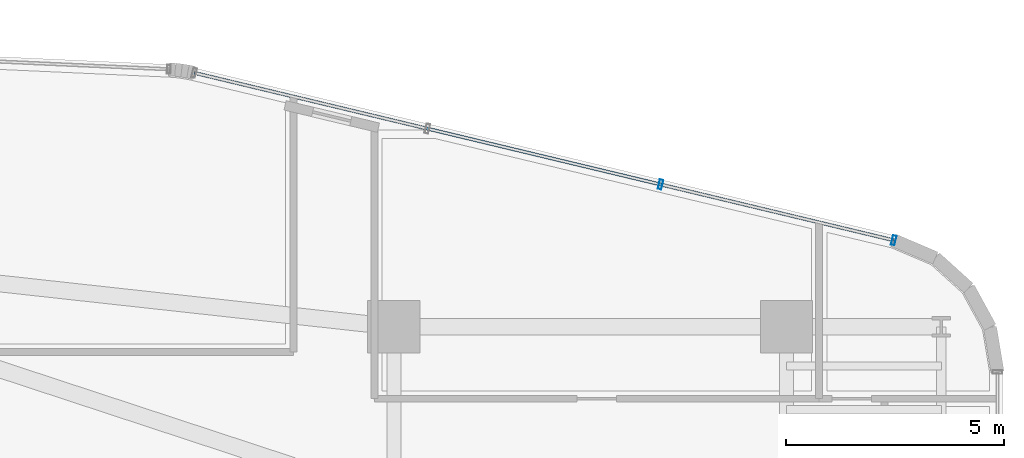
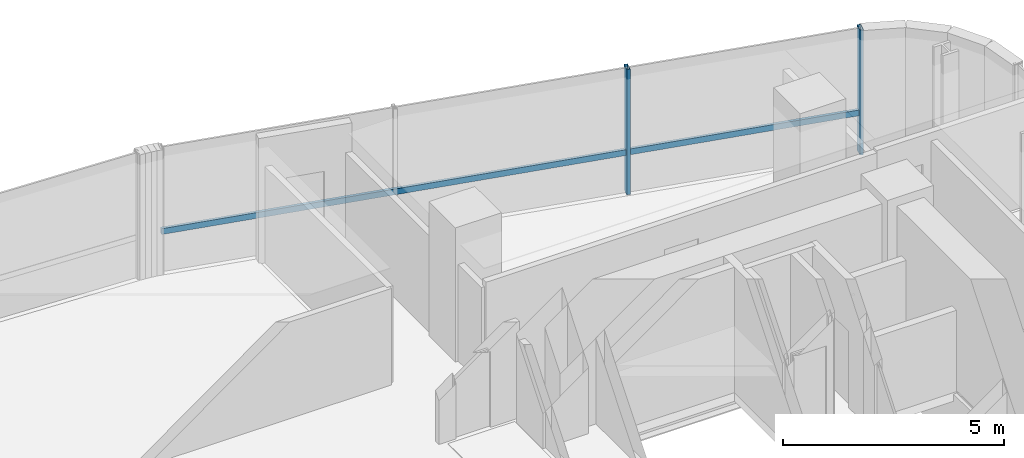
# One storey, part 24 of 34: 3 members, 1 element without a shape of its own.
"""IFC4 building model written with IfcOpenShell, lengths in metres."""

from ifc_helpers import new_model, si_unit, direction, frame, origin, origin_2d, place, context, subcontext, project, spatial, hollow_rectangle, extrude, source, transform, mapped, material, material_profile, profile_set, type_object, element, aggregate, save


model = new_model("IFC4")

# Units and contexts
model_context = context("Model", 3, precision=1e-05, world=origin(), true_north=direction((0.0, 1.0)))
body_context = subcontext(model_context, "Body", "Model", "MODEL_VIEW")
ifc_project = project(units=[si_unit("LENGTHUNIT", "METRE"), si_unit("AREAUNIT", "SQUARE_METRE"), si_unit("VOLUMEUNIT", "CUBIC_METRE"), si_unit("PLANEANGLEUNIT", "RADIAN"), si_unit("MASSUNIT", "GRAM", prefix="KILO")], contexts=[model_context])

# Site, building, storey
site_placement = place(None, origin())
site = spatial("IfcSite", under=ifc_project, at=site_placement, CompositionType="ELEMENT")
building_placement = place(site_placement, origin())
building = spatial("IfcBuilding", under=site, at=building_placement, Name="Valdorenza Pilgrim Sanctuary Tower", CompositionType="ELEMENT")
storey_placement = place(building_placement, frame((0.0, 0.0, 120.5)))
storey = spatial("IfcBuildingStorey", under=building, at=storey_placement, Name="L30", CompositionType="ELEMENT", Elevation=120.5)

# Curtain wall, members
ifc_material_1 = material(Name="Curtain-wall IGU glazing", Category="glass")
curtain_wall_type = type_object("IfcCurtainWallType", Name="CW-SYS-03", PredefinedType="NOTDEFINED", material=ifc_material_1)
curtain_wall_placement = place(storey_placement, origin())
curtain_wall = element("IfcCurtainWall", 1, at=curtain_wall_placement, inside=storey, type_object=curtain_wall_type, Name="L30 Curtain Wall CW-L30-1-16", PredefinedType="NOTDEFINED")
ifc_material_2 = material(Name="Anodised aluminium AW-6060", Category="aluminium")
ifc_material_profile_1 = material_profile(ifc_material_2, hollow_rectangle(XDim=0.0849609375, YDim=0.219970703125, WallThickness=0.0048828125, at=origin_2d()), Name="ALU-M 220x85x5")
ifc_profile_set_1 = profile_set([ifc_material_profile_1], Name="Anodised aluminium AW-6060")
member_type_1 = type_object("IfcMemberType", Name="CW-MUL-03", PredefinedType="MULLION", material=ifc_profile_set_1)
shared_shape_1 = source(origin(), body_context, "Body", "SweptSolid", [
    extrude(hollow_rectangle(XDim=0.0849609375, YDim=0.219970703125, WallThickness=0.0048828125, at=origin_2d()), origin(), (0.0, 0.0, 1.0), 3.4599609375),
])
member_1_placement = place(storey_placement, frame((21.964111328125, 16.7626953125, 0.0), z_axis=(0.0, 0.0, 1.0), x_axis=(0.972528596343, -0.232783438617, 0.0)))
member_1 = element("IfcMember", 2, at=member_1_placement, type_object=member_type_1, Name="CW-L30-1-16 Mullion 3", PredefinedType="MULLION", context=body_context, shape_type="MappedRepresentation", body=[
    mapped(shared_shape_1, transform((0.0, 0.0, 0.0), x_axis=(1.0, 0.0, 0.0), y_axis=(0.0, 1.0, 0.0), z_axis=(0.0, 0.0, 1.0), scale=1.0)),
])
member_2_placement = place(storey_placement, frame((27.310302734375, 15.48291015625, 0.0), z_axis=(0.0, 0.0, 1.0), x_axis=(0.972528596343, -0.232783438617, 0.0)))
member_2 = element("IfcMember", 3, at=member_2_placement, type_object=member_type_1, Name="CW-L30-1-16 Mullion 4", PredefinedType="MULLION", context=body_context, shape_type="MappedRepresentation", body=[
    mapped(shared_shape_1, transform((0.0, 0.0, 0.0), x_axis=(1.0, 0.0, 0.0), y_axis=(0.0, 1.0, 0.0), z_axis=(0.0, 0.0, 1.0), scale=1.0)),
])
ifc_material_profile_2 = material_profile(ifc_material_2, hollow_rectangle(XDim=0.074951171875, YDim=0.159912109375, WallThickness=0.00390625, at=origin_2d()), Name="ALU-T 160x75x4")
ifc_profile_set_2 = profile_set([ifc_material_profile_2], Name="Anodised aluminium AW-6060")
member_type_2 = type_object("IfcMemberType", Name="CW-TRN-03", PredefinedType="USERDEFINED", material=ifc_profile_set_2)
shared_shape_2 = source(origin(), body_context, "Body", "SweptSolid", [
    extrude(hollow_rectangle(XDim=0.074951171875, YDim=0.159912109375, WallThickness=0.00390625, at=origin_2d()), origin(), (0.0, 0.0, 1.0), 16.491943359375),
])
member_3_placement = place(storey_placement, frame((11.271484375, 19.322021484375, 1.1201171875), z_axis=(0.972527548122, -0.232787817859, 0.0), x_axis=(0.232787817859, 0.972527548122, 0.0)))
member_3 = element("IfcMember", 4, at=member_3_placement, type_object=member_type_2, Name="CW-L30-1-16 Transom 1", ObjectType="TRANSOM", PredefinedType="USERDEFINED", context=body_context, shape_type="MappedRepresentation", body=[
    mapped(shared_shape_2, transform((0.0, 0.0, 0.0), x_axis=(1.0, 0.0, 0.0), y_axis=(0.0, 1.0, 0.0), z_axis=(0.0, 0.0, 1.0), scale=1.0)),
])
aggregate(curtain_wall, [member_1, member_2, member_3])

save(model, "model.ifc")
